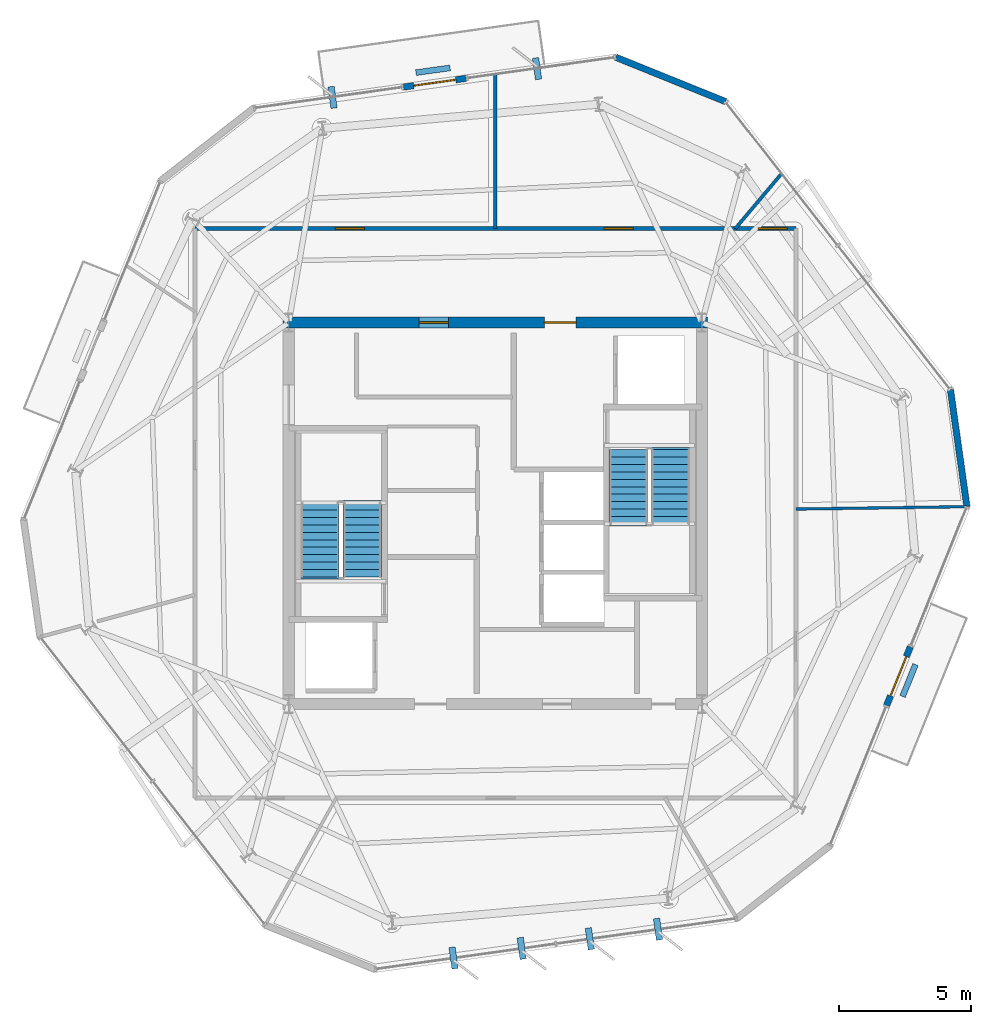
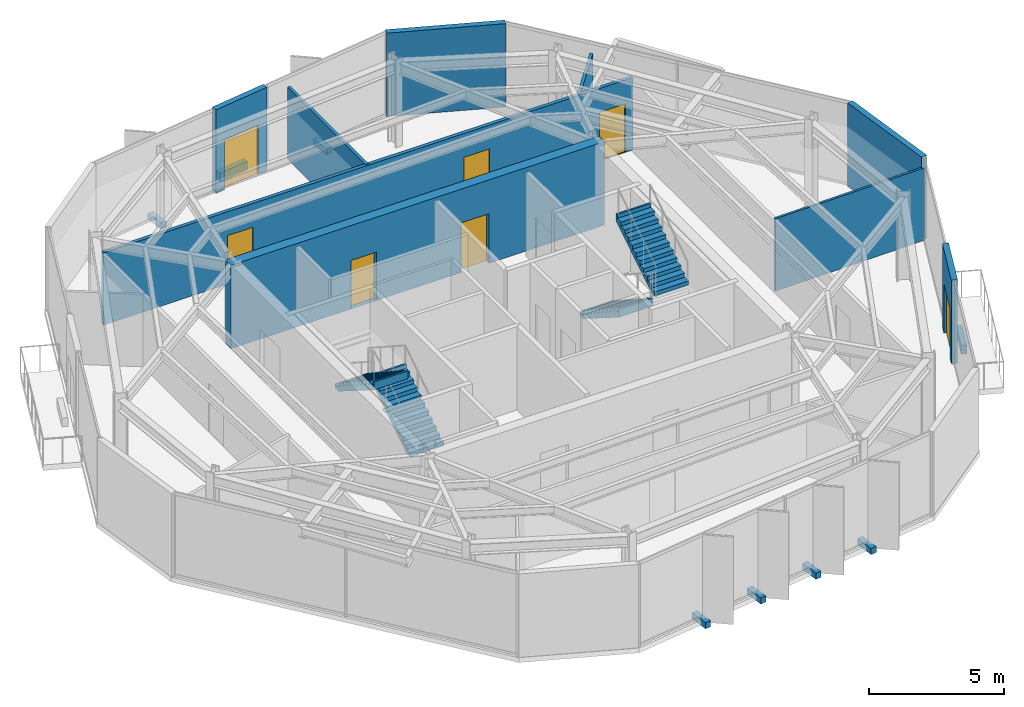
# One storey, part 8 of 11: 11 walls, 7 doors, 6 discrete accessories, 4 stair flights, 7 openings, 2 elements without a shape of their own.
"""IFC4 building model written with IfcOpenShell, lengths in metres."""

from ifc_helpers import new_model, si_unit, direction, frame, frame_2d, origin, origin_2d, place, context, subcontext, project, spatial, polyline, rectangle, outline, extrude, material, layer, layer_set, type_object, element, fill, aggregate, save


model = new_model("IFC4")

# Units and contexts
model_context = context("Model", 3, precision=1e-05, world=origin(), true_north=direction((0.0, 1.0)))
body_context = subcontext(model_context, "Body", "Model", "MODEL_VIEW")
ifc_project = project(units=[si_unit("LENGTHUNIT", "METRE"), si_unit("AREAUNIT", "SQUARE_METRE"), si_unit("VOLUMEUNIT", "CUBIC_METRE"), si_unit("PLANEANGLEUNIT", "RADIAN"), si_unit("MASSUNIT", "GRAM", prefix="KILO")], contexts=[model_context])

# Site, building, storey
site_placement = place(None, origin())
site = spatial("IfcSite", under=ifc_project, at=site_placement, CompositionType="ELEMENT")
building_placement = place(site_placement, origin())
building = spatial("IfcBuilding", under=site, at=building_placement, Name="Kranzbogen Civic Tower", CompositionType="ELEMENT")
storey_placement = place(building_placement, frame((0.0, 0.0, 298.199951171875)))
storey = spatial("IfcBuildingStorey", under=building, at=storey_placement, Name="L72", CompositionType="ELEMENT", Elevation=298.199951171875)

# Wall, openings, doors
ifc_material_1 = material(Name="Double-Stud Acoustic Gypsum Partition")
ifc_layer_1 = layer(ifc_material_1, 0.14990234375, Name="Double-Stud Acoustic Gypsum Partition")
ifc_layer_set_1 = layer_set([ifc_layer_1], Name="Double-Stud Acoustic Gypsum Partition")
wall_type_1 = type_object("IfcWallType", Name="Acoustic Corridor and Clinical Partition 150 mm", PredefinedType="PARTITIONING", material=ifc_layer_set_1)
wall_1_placement = place(storey_placement, frame((13.64990234375, 35.75, 0.0), z_axis=(0.0, 0.0, 1.0), x_axis=(1.0, 0.0, 0.0)))
wall_1 = element("IfcWall", 1, at=wall_1_placement, inside=storey, type_object=wall_type_1, Name="L72 corridor partition 01", PredefinedType="PARTITIONING", context=body_context, shape_type="SweptSolid", body=[
    extrude(rectangle(XDim=22.7001953125, YDim=0.14990234375, at=frame_2d((11.35009765625, 0.0))), origin(), (0.0, 0.0, 1.0), 3.280029296875),
])
opening_1_placement = place(wall_1_placement, frame((21.27392578125, 0.0, 0.0)))
opening_1 = element("IfcOpeningElement", 2, at=opening_1_placement, cuts=wall_1, Name="Opening D-COR60", PredefinedType="OPENING", context=body_context, shape_type="SweptSolid", body=[
    extrude(rectangle(XDim=1.10009765625, YDim=2.199951171875, at=frame_2d((0.550048828125, 1.10009765625))), frame((0.0, 0.0849609375, 0.0), z_axis=(0.0, -1.0, 0.0), x_axis=(1.0, 0.0, 0.0)), (0.0, 0.0, 1.0), 0.169921875),
])
opening_2_placement = place(wall_1_placement, frame((15.45703125, 0.0, 0.0)))
opening_2 = element("IfcOpeningElement", 3, at=opening_2_placement, cuts=wall_1, Name="Opening D-COR60", PredefinedType="OPENING", context=body_context, shape_type="SweptSolid", body=[
    extrude(rectangle(XDim=1.10009765625, YDim=2.199951171875, at=frame_2d((0.550048828125, 1.10009765625))), frame((0.0, 0.0849609375, 0.0), z_axis=(0.0, -1.0, 0.0), x_axis=(1.0, 0.0, 0.0)), (0.0, 0.0, 1.0), 0.169921875),
])
opening_3_placement = place(wall_1_placement, frame((5.30810546875, 0.0, 0.0)))
opening_3 = element("IfcOpeningElement", 4, at=opening_3_placement, cuts=wall_1, Name="Opening D-COR60", PredefinedType="OPENING", context=body_context, shape_type="SweptSolid", body=[
    extrude(rectangle(XDim=1.10009765625, YDim=2.199951171875, at=frame_2d((0.550048828125, 1.10009765625))), frame((0.0, 0.0849609375, 0.0), z_axis=(0.0, -1.0, 0.0), x_axis=(1.0, 0.0, 0.0)), (0.0, 0.0, 1.0), 0.169921875),
])
ifc_material_2 = material(Name="Oak Timber and Fire Core", Category="wood")
door_type_1 = type_object("IfcDoorType", Name="Corridor Acoustic Fire Door 1100x2200", OperationType="NOTDEFINED", PredefinedType="DOOR", material=ifc_material_2)
door_1_placement = place(opening_1_placement, origin())
door_1 = element("IfcDoor", 5, at=door_1_placement, inside=storey, type_object=door_type_1, Name="L72 Operations Security Control Room door", OperationType="SINGLE_SWING_LEFT", OverallHeight=2.199951171875, OverallWidth=1.10009765625, PredefinedType="DOOR", context=body_context, shape_type="SweptSolid", body=[
    extrude(rectangle(XDim=1.10009765625, YDim=2.199951171875, at=frame_2d((0.550048828125, 1.10009765625))), frame((0.0, 0.02490234375, 0.0), z_axis=(0.0, -1.0, 0.0), x_axis=(1.0, 0.0, 0.0)), (0.0, 0.0, 1.0), 0.050048828125),
])
fill(opening_1, door_1)
door_2_placement = place(opening_2_placement, origin())
door_2 = element("IfcDoor", 6, at=door_2_placement, inside=storey, type_object=door_type_1, Name="L72 Central Mail Post Room door", OperationType="SINGLE_SWING_RIGHT", OverallHeight=2.199951171875, OverallWidth=1.10009765625, PredefinedType="DOOR", context=body_context, shape_type="SweptSolid", body=[
    extrude(rectangle(XDim=1.10009765625, YDim=2.199951171875, at=frame_2d((0.550048828125, 1.10009765625))), frame((0.0, 0.02490234375, 0.0), z_axis=(0.0, -1.0, 0.0), x_axis=(1.0, 0.0, 0.0)), (0.0, 0.0, 1.0), 0.050048828125),
])
fill(opening_2, door_2)
door_3_placement = place(opening_3_placement, origin())
door_3 = element("IfcDoor", 7, at=door_3_placement, inside=storey, type_object=door_type_1, Name="L72 Duty Crew Control Room door", OperationType="SINGLE_SWING_LEFT", OverallHeight=2.199951171875, OverallWidth=1.10009765625, PredefinedType="DOOR", context=body_context, shape_type="SweptSolid", body=[
    extrude(rectangle(XDim=1.10009765625, YDim=2.199951171875, at=frame_2d((0.550048828125, 1.10009765625))), frame((0.0, 0.02490234375, 0.0), z_axis=(0.0, -1.0, 0.0), x_axis=(1.0, 0.0, 0.0)), (0.0, 0.0, 1.0), 0.050048828125),
])
fill(opening_3, door_3)

# Walls
ifc_material_3 = material(Name="Insulated Metal-Stud Gypsum Partition")
ifc_layer_2 = layer(ifc_material_3, 0.125, Name="Insulated Metal-Stud Gypsum Partition")
ifc_layer_set_2 = layer_set([ifc_layer_2], Name="Insulated Metal-Stud Gypsum Partition")
wall_type_2 = type_object("IfcWallType", Name="Acoustic Inter-Room Partition 125 mm", PredefinedType="PARTITIONING", material=ifc_layer_set_2)
wall_2_placement = place(storey_placement, frame((24.998046875, 35.75, 0.0), z_axis=(0.0, 0.0, 1.0), x_axis=(0.0, 1.0, 0.0)))
element("IfcWall", 8, at=wall_2_placement, inside=storey, type_object=wall_type_2, Name="L72 radial room partition 01", PredefinedType="PARTITIONING", context=body_context, shape_type="SweptSolid", body=[
    extrude(rectangle(XDim=5.81591796875, YDim=0.125, at=frame_2d((2.907958984375, 0.0))), origin(), (0.0, 0.0, 1.0), 3.280029296875),
])
wall_3_placement = place(storey_placement, frame((34.06201171875, 35.75, 0.0), z_axis=(0.0, 0.0, 1.0), x_axis=(0.644438862716, 0.764655839068, 0.0)))
element("IfcWall", 9, at=wall_3_placement, inside=storey, type_object=wall_type_2, Name="L72 radial room partition 07", PredefinedType="PARTITIONING", context=body_context, shape_type="SweptSolid", body=[
    extrude(rectangle(XDim=2.703125, YDim=0.125, at=frame_2d((1.3515625, 0.0))), origin(), (0.0, 0.0, 1.0), 3.280029296875),
])
ifc_material_4 = material(Name="Architectural Precast Terracotta Concrete C40/50", Category="masonry")
ifc_layer_3 = layer(ifc_material_4, 0.219970703125, Name="Architectural Precast Terracotta Concrete C40/50")
ifc_layer_set_3 = layer_set([ifc_layer_3], Name="Architectural Precast Terracotta Concrete C40/50")
wall_type_3 = type_object("IfcWallType", Name="Architectural Tree Planter Kerb Wall 220 mm", PredefinedType="USERDEFINED", material=ifc_layer_set_3)
wall_4_placement = place(storey_placement, frame((40.383056640625, 18.0830078125, 0.0), z_axis=(0.0, 0.0, 1.0), x_axis=(0.375108300877, 0.926980993663, 0.0)))
element("IfcWall", 10, at=wall_4_placement, inside=storey, type_object=wall_type_3, Name="L72 landscaped tree balcony planter L72-TB1", ObjectType="PLANTER_WALL", PredefinedType="USERDEFINED", context=body_context, shape_type="SweptSolid", body=[
    extrude(rectangle(XDim=1.301025390625, YDim=0.219970703125, at=frame_2d((0.650390625, 0.0))), origin(), (0.0, 0.0, 1.0), 0.400146484375),
])
wall_5_placement = place(storey_placement, frame((23.29296875, 41.822021484375, 0.0), z_axis=(0.0, 0.0, 1.0), x_axis=(-0.990383971487, -0.138345903523, 0.0)))
element("IfcWall", 11, at=wall_5_placement, inside=storey, type_object=wall_type_3, Name="L72 landscaped tree balcony planter L72-ST", ObjectType="PLANTER_WALL", PredefinedType="USERDEFINED", context=body_context, shape_type="SweptSolid", body=[
    extrude(rectangle(XDim=1.300537109375, YDim=0.219970703125, at=frame_2d((0.650390625, 0.0))), origin(), (0.0, 0.0, 1.0), 0.400146484375),
])

# Wall, openings, doors
ifc_material_5 = material(Name="Concrete C45/55", Category="concrete")
ifc_layer_4 = layer(ifc_material_5, 0.419921875, Name="Concrete C45/55")
ifc_layer_set_4 = layer_set([ifc_layer_4], Name="Concrete C45/55")
wall_type_4 = type_object("IfcWallType", Name="Central Core Shear Wall 420 mm", PredefinedType="SHEAR", material=ifc_layer_set_4)
wall_6_placement = place(storey_placement, frame((33.010009765625, 32.199951171875, 0.0), z_axis=(0.0, 0.0, 1.0), x_axis=(-1.0, 0.0, 0.0)))
wall_6 = element("IfcWall", 12, at=wall_6_placement, inside=storey, type_object=wall_type_4, Name="L72 central core North shear wall", PredefinedType="SHEAR", context=body_context, shape_type="SweptSolid", body=[
    extrude(rectangle(XDim=16.02001953125, YDim=0.419921875, at=frame_2d((8.010009765625, 0.0))), origin(), (0.0, 0.0, 1.0), 3.780029296875),
])
opening_4_placement = place(wall_6_placement, frame((4.9599609375, 0.0, 0.0)))
opening_4 = element("IfcOpeningElement", 13, at=opening_4_placement, cuts=wall_6, Name="Opening D-EX120", PredefinedType="OPENING", context=body_context, shape_type="SweptSolid", body=[
    extrude(rectangle(XDim=1.199951171875, YDim=2.25, at=frame_2d((0.60009765625, 1.125))), frame((0.0, 0.219970703125, 0.0), z_axis=(0.0, -1.0, 0.0), x_axis=(1.0, 0.0, 0.0)), (0.0, 0.0, 1.0), 0.43994140625),
])
opening_5_placement = place(wall_6_placement, frame((9.784912109375, 0.0, 0.0)))
opening_5 = element("IfcOpeningElement", 14, at=opening_5_placement, cuts=wall_6, Name="Opening D-COR60", PredefinedType="OPENING", context=body_context, shape_type="SweptSolid", body=[
    extrude(rectangle(XDim=1.10009765625, YDim=2.199951171875, at=frame_2d((0.550048828125, 1.10009765625))), frame((0.0, 0.219970703125, 0.0), z_axis=(0.0, -1.0, 0.0), x_axis=(1.0, 0.0, 0.0)), (0.0, 0.0, 1.0), 0.43994140625),
])
door_4_placement = place(opening_5_placement, origin())
door_4 = element("IfcDoor", 15, at=door_4_placement, inside=storey, type_object=door_type_1, Name="L72 DAT1 comms room door", OperationType="SINGLE_SWING_LEFT", OverallHeight=2.199951171875, OverallWidth=1.10009765625, PredefinedType="DOOR", context=body_context, shape_type="SweptSolid", body=[
    extrude(rectangle(XDim=1.10009765625, YDim=2.199951171875, at=frame_2d((0.550048828125, 1.10009765625))), frame((0.0, 0.02490234375, 0.0), z_axis=(0.0, -1.0, 0.0), x_axis=(1.0, 0.0, 0.0)), (0.0, 0.0, 1.0), 0.050048828125),
])
fill(opening_5, door_4)
ifc_material_6 = material(Name="Steel S355", Category="steel")
door_type_2 = type_object("IfcDoorType", Name="Exit Passageway Fire Door 1200x2250", OperationType="NOTDEFINED", PredefinedType="DOOR", material=ifc_material_6)
door_5_placement = place(opening_4_placement, origin())
door_5 = element("IfcDoor", 16, at=door_5_placement, inside=storey, type_object=door_type_2, Name="L72 East firefighting lobby corridor door", OperationType="SINGLE_SWING_RIGHT", OverallHeight=2.25, OverallWidth=1.199951171875, PredefinedType="DOOR", context=body_context, shape_type="SweptSolid", body=[
    extrude(rectangle(XDim=1.199951171875, YDim=2.25, at=frame_2d((0.60009765625, 1.125))), frame((0.0, 0.02490234375, 0.0), z_axis=(0.0, -1.0, 0.0), x_axis=(1.0, 0.0, 0.0)), (0.0, 0.0, 1.0), 0.050048828125),
])
fill(opening_4, door_5)

# Wall
ifc_material_7 = material(Name="Demountable Aluminium and Gypsum Partition", Category="aluminium")
ifc_layer_5 = layer(ifc_material_7, 0.10009765625, Name="Demountable Aluminium and Gypsum Partition")
ifc_layer_set_5 = layer_set([ifc_layer_5], Name="Demountable Aluminium and Gypsum Partition")
wall_type_5 = type_object("IfcWallType", Name="Demountable Office Partition 100 mm", PredefinedType="MOVABLE", material=ifc_layer_set_5)
wall_7_placement = place(storey_placement, frame((36.35009765625, 25.158935546875, 0.0), z_axis=(0.0, 0.0, 1.0), x_axis=(0.999902287831, 0.013979084042, 0.0)))
element("IfcWall", 17, at=wall_7_placement, inside=storey, type_object=wall_type_5, Name="L72 radial room partition 06", PredefinedType="MOVABLE", context=body_context, shape_type="SweptSolid", body=[
    extrude(rectangle(XDim=6.444580078125, YDim=0.10009765625, at=frame_2d((3.22216796875, 0.0))), origin(), (0.0, 0.0, 1.0), 3.280029296875),
])

# Wall, opening, door
ifc_material_8 = material(Name="Pale Anodised Aluminium", Category="aluminium")
ifc_layer_6 = layer(ifc_material_8, 0.239990234375, Name="Pale Anodised Aluminium")
ifc_layer_set_6 = layer_set([ifc_layer_6], Name="Pale Anodised Aluminium")
wall_type_6 = type_object("IfcWallType", Name="Insulated Aluminium Facade Portal Wall 240 mm", PredefinedType="STANDARD", material=ifc_layer_set_6)
wall_8_placement = place(storey_placement, frame((23.903076171875, 41.428955078125, 0.0), z_axis=(0.0, 0.0, 1.0), x_axis=(-0.990264470021, -0.139198704787, 0.0)))
wall_8 = element("IfcWall", 18, at=wall_8_placement, inside=storey, type_object=wall_type_6, Name="L72 exterior entrance portal wall 1", PredefinedType="STANDARD", context=body_context, shape_type="SweptSolid", body=[
    extrude(rectangle(XDim=2.3994140625, YDim=0.239990234375, at=frame_2d((1.19970703125, 0.0))), origin(), (0.0, 0.0, 1.0), 3.780029296875),
])
opening_6_placement = place(wall_8_placement, frame((0.39990234375, 0.0, 0.0)))
opening_6 = element("IfcOpeningElement", 19, at=opening_6_placement, cuts=wall_8, Name="Opening D-TER", PredefinedType="OPENING", context=body_context, shape_type="SweptSolid", body=[
    extrude(rectangle(XDim=1.60009765625, YDim=2.25, at=frame_2d((0.800048828125, 1.125))), frame((0.0, 0.1298828125, 0.0), z_axis=(0.0, -1.0, 0.0), x_axis=(1.0, 0.0, 0.0)), (0.0, 0.0, 1.0), 0.260009765625),
])
ifc_material_9 = material(Name="Anodised Bronze and Triple Glass", Category="glass")
door_type_3 = type_object("IfcDoorType", Name="Glazed Terrace and Balcony Double Door 1600x2250", OperationType="DOUBLE_DOOR_SINGLE_SWING", PredefinedType="DOOR", material=ifc_material_9)
door_6_placement = place(opening_6_placement, frame((1.60009765625, 0.0, 0.0), z_axis=(0.0, 0.0, 1.0), x_axis=(-1.0, 0.0, 0.0)))
door_6 = element("IfcDoor", 20, at=door_6_placement, inside=storey, type_object=door_type_3, Name="L72 spiral terrace access door L72-ST", OperationType="DOUBLE_DOOR_SINGLE_SWING", OverallHeight=2.25, OverallWidth=1.60009765625, PredefinedType="DOOR", context=body_context, shape_type="SweptSolid", body=[
    extrude(rectangle(XDim=1.60009765625, YDim=2.25, at=frame_2d((0.800048828125, 1.125))), frame((0.0, 0.02490234375, 0.0), z_axis=(0.0, -1.0, 0.0), x_axis=(1.0, 0.0, 0.0)), (0.0, 0.0, 1.0), 0.050048828125),
])
fill(opening_6, door_6)

wall_9_placement = place(storey_placement, frame((39.77587890625, 17.736083984375, 0.0), z_axis=(0.0, 0.0, 1.0), x_axis=(0.374703586724, 0.927144660825, 0.0)))
wall_9 = element("IfcWall", 21, at=wall_9_placement, inside=storey, type_object=wall_type_6, Name="L72 exterior entrance portal wall 1", PredefinedType="STANDARD", context=body_context, shape_type="SweptSolid", body=[
    extrude(rectangle(XDim=2.399658203125, YDim=0.239990234375, at=frame_2d((1.19970703125, 0.0))), origin(), (0.0, 0.0, 1.0), 3.780029296875),
])
opening_7_placement = place(wall_9_placement, frame((0.39990234375, 0.0, 0.0)))
opening_7 = element("IfcOpeningElement", 22, at=opening_7_placement, cuts=wall_9, Name="Opening D-TER", PredefinedType="OPENING", context=body_context, shape_type="SweptSolid", body=[
    extrude(rectangle(XDim=1.60009765625, YDim=2.25, at=frame_2d((0.800048828125, 1.125))), frame((0.0, 0.1298828125, 0.0), z_axis=(0.0, -1.0, 0.0), x_axis=(1.0, 0.0, 0.0)), (0.0, 0.0, 1.0), 0.260009765625),
])
door_7_placement = place(opening_7_placement, frame((1.60009765625, 0.0, 0.0), z_axis=(0.0, 0.0, 1.0), x_axis=(-1.0, 0.0, 0.0)))
door_7 = element("IfcDoor", 23, at=door_7_placement, inside=storey, type_object=door_type_3, Name="L72 tree balcony access door L72-TB1", OperationType="DOUBLE_DOOR_SINGLE_SWING", OverallHeight=2.25, OverallWidth=1.60009765625, PredefinedType="DOOR", context=body_context, shape_type="SweptSolid", body=[
    extrude(rectangle(XDim=1.60009765625, YDim=2.25, at=frame_2d((0.800048828125, 1.125))), frame((0.0, 0.02490234375, 0.0), z_axis=(0.0, -1.0, 0.0), x_axis=(1.0, 0.0, 0.0)), (0.0, 0.0, 1.0), 0.050048828125),
])
fill(opening_7, door_7)

# Walls
wall_10_placement = place(storey_placement, frame((42.81103515625, 25.2490234375, 0.0), z_axis=(0.0, 0.0, 1.0), x_axis=(-0.139124115192, 0.990274952007, 0.0)))
element("IfcWall", 24, at=wall_10_placement, inside=storey, type_object=wall_type_6, Name="L72 chamfered corner facade spandrel 5", PredefinedType="STANDARD", context=body_context, shape_type="SweptSolid", body=[
    extrude(rectangle(XDim=4.46435546875, YDim=0.239990234375, at=frame_2d((2.232177734375, 0.0))), origin(), (0.0, 0.0, 1.0), 3.780029296875),
])
wall_11_placement = place(storey_placement, frame((33.68994140625, 40.549072265625, 0.0), z_axis=(0.0, 0.0, 1.0), x_axis=(-0.927166243324, 0.374650179823, 0.0)))
element("IfcWall", 25, at=wall_11_placement, inside=storey, type_object=wall_type_6, Name="L72 chamfered corner facade spandrel 6", PredefinedType="STANDARD", context=body_context, shape_type="SweptSolid", body=[
    extrude(rectangle(XDim=4.465087890625, YDim=0.239990234375, at=frame_2d((2.232421875, 0.0))), origin(), (0.0, 0.0, 1.0), 3.780029296875),
])

# Stair, stair flights
ifc_material_10 = material(Name="Precast concrete C40/50", Category="concrete")
stair_type_1 = type_object("IfcStairType", Name="Tower Core Pressurized Dogleg Stair 1450", PredefinedType="HALF_TURN_STAIR", material=ifc_material_10)
stair_1_placement = place(storey_placement, origin())
stair_1 = element("IfcStair", 26, at=stair_1_placement, inside=storey, type_object=stair_type_1, Name="L72 Tower Core Pressurized Stair 1", PredefinedType="HALF_TURN_STAIR")
stair_flight_type = type_object("IfcStairFlightType", Name="Precast Concrete Stair Flight R180", PredefinedType="STRAIGHT", material=ifc_material_10)
stair_flight_1_placement = place(storey_placement, frame((19.97509765625, 22.60009765625, 0.0), z_axis=(0.0, 0.0, 1.0), x_axis=(0.0, 1.0, 0.0)))
stair_flight_1 = element("IfcStairFlight", 27, at=stair_flight_1_placement, type_object=stair_flight_type, Name="ST-T1 flight 1", NumberOfRisers=11, NumberOfTreads=10, PredefinedType="STRAIGHT", RiserHeight=0.181818182, TreadLength=0.28, context=body_context, shape_type="SweptSolid", body=[
    extrude(outline(polyline([(0.0, 0.0), (0.0, 0.181884765625), (0.280029296875, 0.181884765625), (0.280029296875, 0.363525390625), (0.56005859375, 0.363525390625), (0.56005859375, 0.54541015625), (0.840087890625, 0.54541015625), (0.840087890625, 0.727294921875), (1.1201171875, 0.727294921875), (1.1201171875, 0.9091796875), (1.39990234375, 0.9091796875), (1.39990234375, 1.0908203125), (1.679931640625, 1.0908203125), (1.679931640625, 1.272705078125), (1.9599609375, 1.272705078125), (1.9599609375, 1.45458984375), (2.239990234375, 1.45458984375), (2.239990234375, 1.636474609375), (2.52001953125, 1.636474609375), (2.52001953125, 1.818115234375), (2.800048828125, 1.818115234375), (2.800048828125, 2.0), (2.880126953125, 2.0), (2.880126953125, 1.639404296875), (0.275146484375, 0.0), (0.0, 0.0)])), frame((0.0, 0.72509765625, 0.0), z_axis=(0.0, -1.0, 0.0), x_axis=(1.0, 0.0, 0.0)), (0.0, 0.0, 1.0), 1.449951171875),
])
stair_flight_2_placement = place(storey_placement, frame((18.375, 25.39990234375, 2.0), z_axis=(0.0, 0.0, 1.0), x_axis=(0.0, -1.0, 0.0)))
stair_flight_2 = element("IfcStairFlight", 28, at=stair_flight_2_placement, type_object=stair_flight_type, Name="ST-T1 flight 2", NumberOfRisers=11, NumberOfTreads=10, PredefinedType="STRAIGHT", RiserHeight=0.181818182, TreadLength=0.28, context=body_context, shape_type="SweptSolid", body=[
    extrude(outline(polyline([(0.0, 0.0), (0.0, 0.181884765625), (0.280029296875, 0.181884765625), (0.280029296875, 0.363525390625), (0.56005859375, 0.363525390625), (0.56005859375, 0.54541015625), (0.840087890625, 0.54541015625), (0.840087890625, 0.727294921875), (1.1201171875, 0.727294921875), (1.1201171875, 0.9091796875), (1.39990234375, 0.9091796875), (1.39990234375, 1.0908203125), (1.679931640625, 1.0908203125), (1.679931640625, 1.272705078125), (1.9599609375, 1.272705078125), (1.9599609375, 1.45458984375), (2.239990234375, 1.45458984375), (2.239990234375, 1.636474609375), (2.52001953125, 1.636474609375), (2.52001953125, 1.818115234375), (2.800048828125, 1.818115234375), (2.800048828125, 2.0), (2.880126953125, 2.0), (2.880126953125, 1.639404296875), (0.275146484375, 0.0), (0.0, 0.0)])), frame((0.0, 0.72509765625, 0.0), z_axis=(0.0, -1.0, 0.0), x_axis=(1.0, 0.0, 0.0)), (0.0, 0.0, 1.0), 1.449951171875),
])
aggregate(stair_1, [stair_flight_1, stair_flight_2])

stair_type_2 = type_object("IfcStairType", Name="Tower Core Secondary Dogleg Stair 1450", PredefinedType="HALF_TURN_STAIR", material=ifc_material_10)
stair_2_placement = place(storey_placement, origin())
stair_2 = element("IfcStair", 29, at=stair_2_placement, inside=storey, type_object=stair_type_2, Name="L72 Tower Core Pressurized Stair 2", PredefinedType="HALF_TURN_STAIR")
stair_flight_3_placement = place(storey_placement, frame((30.02490234375, 27.39990234375, 0.0), z_axis=(0.0, 0.0, 1.0), x_axis=(0.0, -1.0, 0.0)))
stair_flight_3 = element("IfcStairFlight", 30, at=stair_flight_3_placement, type_object=stair_flight_type, Name="ST-T2 flight 1", NumberOfRisers=11, NumberOfTreads=10, PredefinedType="STRAIGHT", RiserHeight=0.181818182, TreadLength=0.28, context=body_context, shape_type="SweptSolid", body=[
    extrude(outline(polyline([(0.0, 0.0), (0.0, 0.181884765625), (0.280029296875, 0.181884765625), (0.280029296875, 0.363525390625), (0.56005859375, 0.363525390625), (0.56005859375, 0.54541015625), (0.840087890625, 0.54541015625), (0.840087890625, 0.727294921875), (1.1201171875, 0.727294921875), (1.1201171875, 0.9091796875), (1.39990234375, 0.9091796875), (1.39990234375, 1.0908203125), (1.679931640625, 1.0908203125), (1.679931640625, 1.272705078125), (1.9599609375, 1.272705078125), (1.9599609375, 1.45458984375), (2.239990234375, 1.45458984375), (2.239990234375, 1.636474609375), (2.52001953125, 1.636474609375), (2.52001953125, 1.818115234375), (2.800048828125, 1.818115234375), (2.800048828125, 2.0), (2.880126953125, 2.0), (2.880126953125, 1.639404296875), (0.275146484375, 0.0), (0.0, 0.0)])), frame((0.0, 0.72509765625, 0.0), z_axis=(0.0, -1.0, 0.0), x_axis=(1.0, 0.0, 0.0)), (0.0, 0.0, 1.0), 1.449951171875),
])
stair_flight_4_placement = place(storey_placement, frame((31.625, 24.60009765625, 2.0), z_axis=(0.0, 0.0, 1.0), x_axis=(0.0, 1.0, 0.0)))
stair_flight_4 = element("IfcStairFlight", 31, at=stair_flight_4_placement, type_object=stair_flight_type, Name="ST-T2 flight 2", NumberOfRisers=11, NumberOfTreads=10, PredefinedType="STRAIGHT", RiserHeight=0.181818182, TreadLength=0.28, context=body_context, shape_type="SweptSolid", body=[
    extrude(outline(polyline([(0.0, 0.0), (0.0, 0.181884765625), (0.280029296875, 0.181884765625), (0.280029296875, 0.363525390625), (0.56005859375, 0.363525390625), (0.56005859375, 0.54541015625), (0.840087890625, 0.54541015625), (0.840087890625, 0.727294921875), (1.1201171875, 0.727294921875), (1.1201171875, 0.9091796875), (1.39990234375, 0.9091796875), (1.39990234375, 1.0908203125), (1.679931640625, 1.0908203125), (1.679931640625, 1.272705078125), (1.9599609375, 1.272705078125), (1.9599609375, 1.45458984375), (2.239990234375, 1.45458984375), (2.239990234375, 1.636474609375), (2.52001953125, 1.636474609375), (2.52001953125, 1.818115234375), (2.800048828125, 1.818115234375), (2.800048828125, 2.0), (2.880126953125, 2.0), (2.880126953125, 1.639404296875), (0.275146484375, 0.0), (0.0, 0.0)])), frame((0.0, 0.72509765625, 0.0), z_axis=(0.0, -1.0, 0.0), x_axis=(1.0, 0.0, 0.0)), (0.0, 0.0, 1.0), 1.449951171875),
])
aggregate(stair_2, [stair_flight_3, stair_flight_4])

# Discrete accessories
discrete_accessory_type = type_object("IfcDiscreteAccessoryType", Name="Structural Curtain-Wall Fin Support Bracket", PredefinedType="BRACKET", material=ifc_material_6)
for number, where, z_axis, x_axis, name in (
    (32, (26.577880859375, 41.79296875, -0.25), (0.0, 0.0, 1.0), (-0.13917310096, 0.990268068742, 0.0), "L72 facade fin support bracket F1-1"),
    (33, (18.85400390625, 40.7080078125, -0.25), (0.0, 0.0, 1.0), (-0.13917310096, 0.990268068742, 0.0), "L72 facade fin support bracket F1-4"),
    (34, (23.422119140625, 8.20703125, -0.25), (0.0, 0.0, 1.0), (0.13917310096, -0.990268068742, 0.0), "L72 facade fin support bracket F4-1"),
    (35, (25.9970703125, 8.569091796875, -0.25), (0.0, 0.0, 1.0), (0.13917310096, -0.990268068742, 0.0), "L72 facade fin support bracket F4-2"),
    (36, (28.571044921875, 8.930908203125, -0.25), (0.0, 0.0, 1.0), (0.13917310096, -0.990268068742, 0.0), "L72 facade fin support bracket F4-3"),
    (37, (31.14599609375, 9.2919921875, -0.25), (0.0, 0.0, 1.0), (0.13917310096, -0.990268068742, 0.0), "L72 facade fin support bracket F4-4"),
):
    element("IfcDiscreteAccessory", number, at=place(storey_placement, frame(where, z_axis=z_axis, x_axis=x_axis)), inside=storey, type_object=discrete_accessory_type, Name=name, PredefinedType="BRACKET", context=body_context, shape_type="SweptSolid", body=[
        extrude(rectangle(XDim=0.820068359375, YDim=0.239990234375, at=origin_2d()), origin(), (0.0, 0.0, 1.0), 0.280029296875),
    ])

save(model, "model.ifc")
